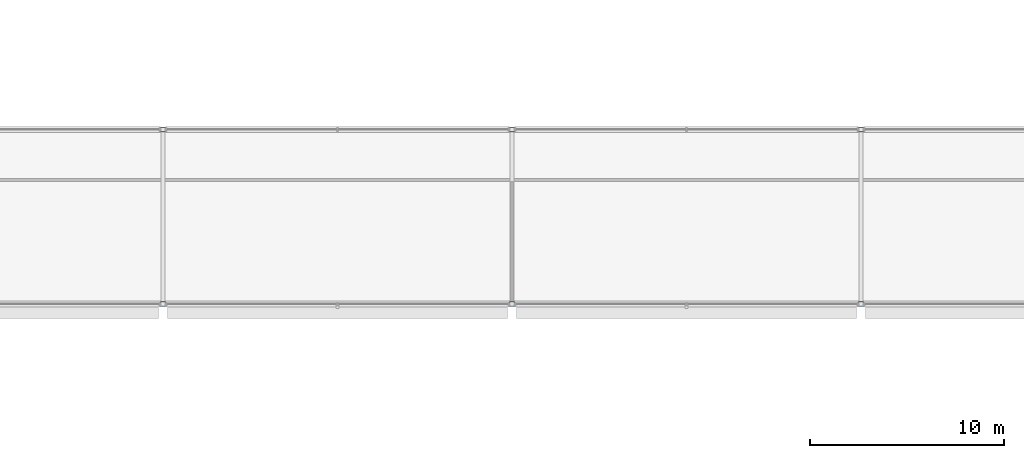
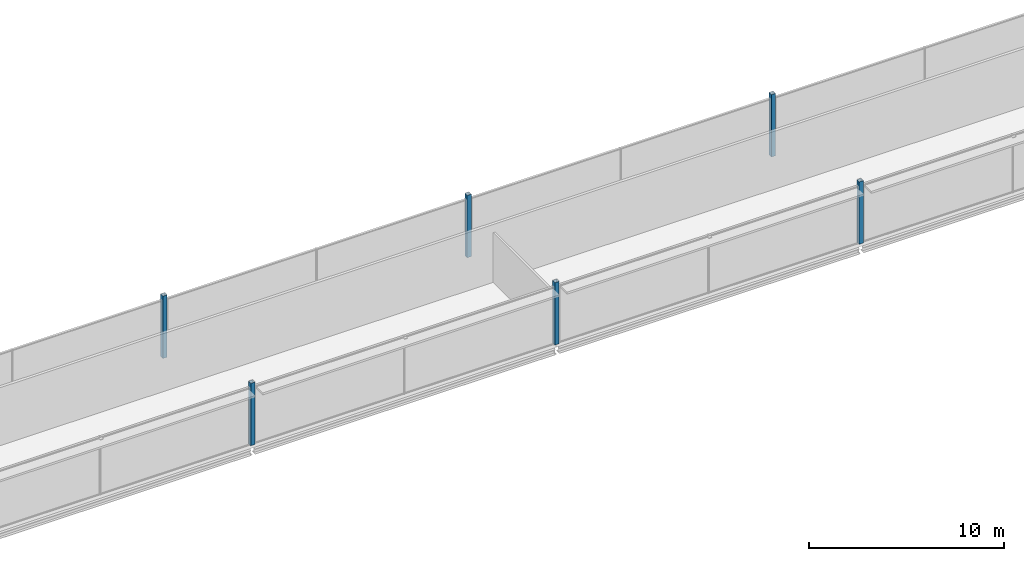
# One storey, part 8 of 98: 6 columns.
"""IFC4 building model written with IfcOpenShell, lengths in metres."""

from ifc_helpers import new_model, si_unit, direction, frame, origin, origin_2d, place, context, subcontext, project, spatial, hollow_rectangle, extrude, material, material_profile, profile_set, type_object, element, save


model = new_model("IFC4")

# Units and contexts
model_context = context("Model", 3, precision=1e-05, world=origin(), true_north=direction((0.0, 1.0)))
body_context = subcontext(model_context, "Body", "Model", "MODEL_VIEW")
ifc_project = project(units=[si_unit("LENGTHUNIT", "METRE"), si_unit("AREAUNIT", "SQUARE_METRE"), si_unit("VOLUMEUNIT", "CUBIC_METRE"), si_unit("PLANEANGLEUNIT", "RADIAN"), si_unit("MASSUNIT", "GRAM", prefix="KILO")], contexts=[model_context])

# Site, building, storey
site_placement = place(None, origin())
site = spatial("IfcSite", under=ifc_project, at=site_placement, CompositionType="ELEMENT")
building_placement = place(site_placement, origin())
building = spatial("IfcBuilding", under=site, at=building_placement, Name="Kisiwana Market Hall", CompositionType="ELEMENT")
storey_placement = place(building_placement, frame((0.0, 0.0, 29.39990234375)))
storey = spatial("IfcBuildingStorey", under=building, at=storey_placement, Name="L06", CompositionType="ELEMENT", Elevation=29.39990234375)

# Columns
ifc_material = material(Name="Steel S355", Category="steel")
ifc_material_profile = material_profile(ifc_material, hollow_rectangle(XDim=0.25, YDim=0.25, WallThickness=0.012451171875, at=origin_2d()), Name="SHS 250x250x12.5")
ifc_profile_set = profile_set([ifc_material_profile], Name="Steel S355")
column_type = type_object("IfcColumnType", Name="COL-STL-SHS250", PredefinedType="COLUMN", material=ifc_profile_set)
for number, where, z_axis, x_axis, name in (
    (1, (81.0, 93.0, 0.0), (0.0, 0.0, 1.0), (1.0, 0.0, 0.0), "Column M/10 (L06) C-1017"),
    (2, (81.0, 102.0, 0.0), (0.0, 0.0, 1.0), (1.0, 0.0, 0.0), "Column N/10 (L06) C-1018"),
    (3, (99.0, 93.0, 0.0), (0.0, 0.0, 1.0), (1.0, 0.0, 0.0), "Column M/12 (L06) C-1021"),
    (4, (99.0, 102.0, 0.0), (0.0, 0.0, 1.0), (1.0, 0.0, 0.0), "Column N/12 (L06) C-1022"),
    (5, (117.0, 93.0, 0.0), (0.0, 0.0, 1.0), (1.0, 0.0, 0.0), "Column M/14 (L06) C-1025"),
    (6, (117.0, 102.0, 0.0), (0.0, 0.0, 1.0), (1.0, 0.0, 0.0), "Column N/14 (L06) C-1026"),
):
    element("IfcColumn", number, at=place(storey_placement, frame(where, z_axis=z_axis, x_axis=x_axis)), inside=storey, type_object=column_type, Name=name, PredefinedType="COLUMN", context=body_context, shape_type="SweptSolid", body=[
        extrude(hollow_rectangle(XDim=0.25, YDim=0.25, WallThickness=0.012451171875, at=origin_2d()), origin(), (0.0, 0.0, 1.0), 3.900146484375),
    ])

save(model, "model.ifc")
